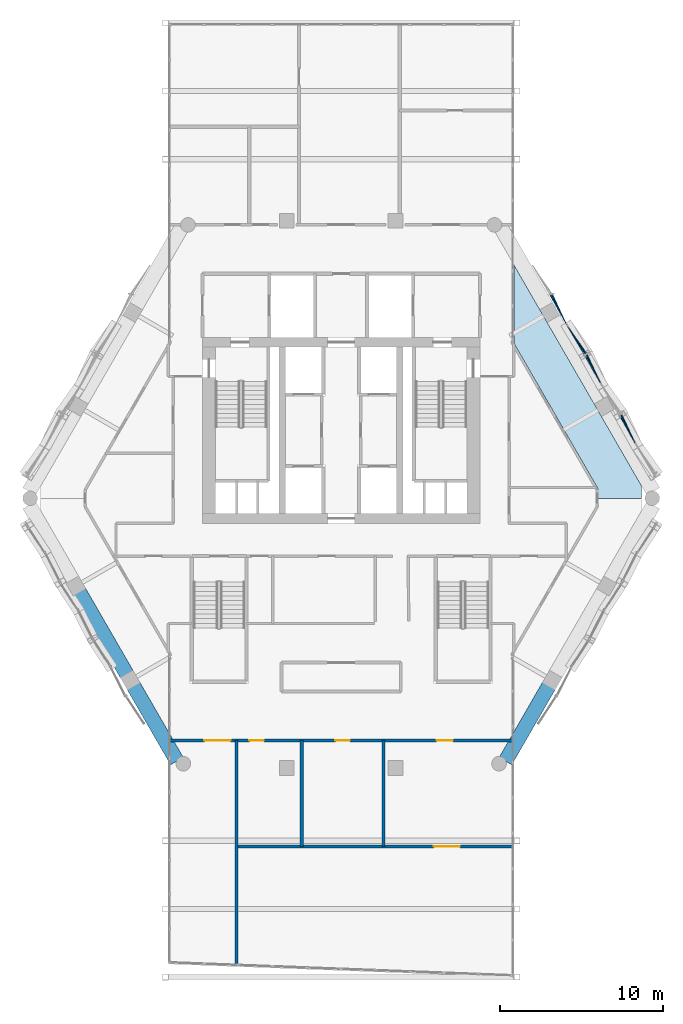
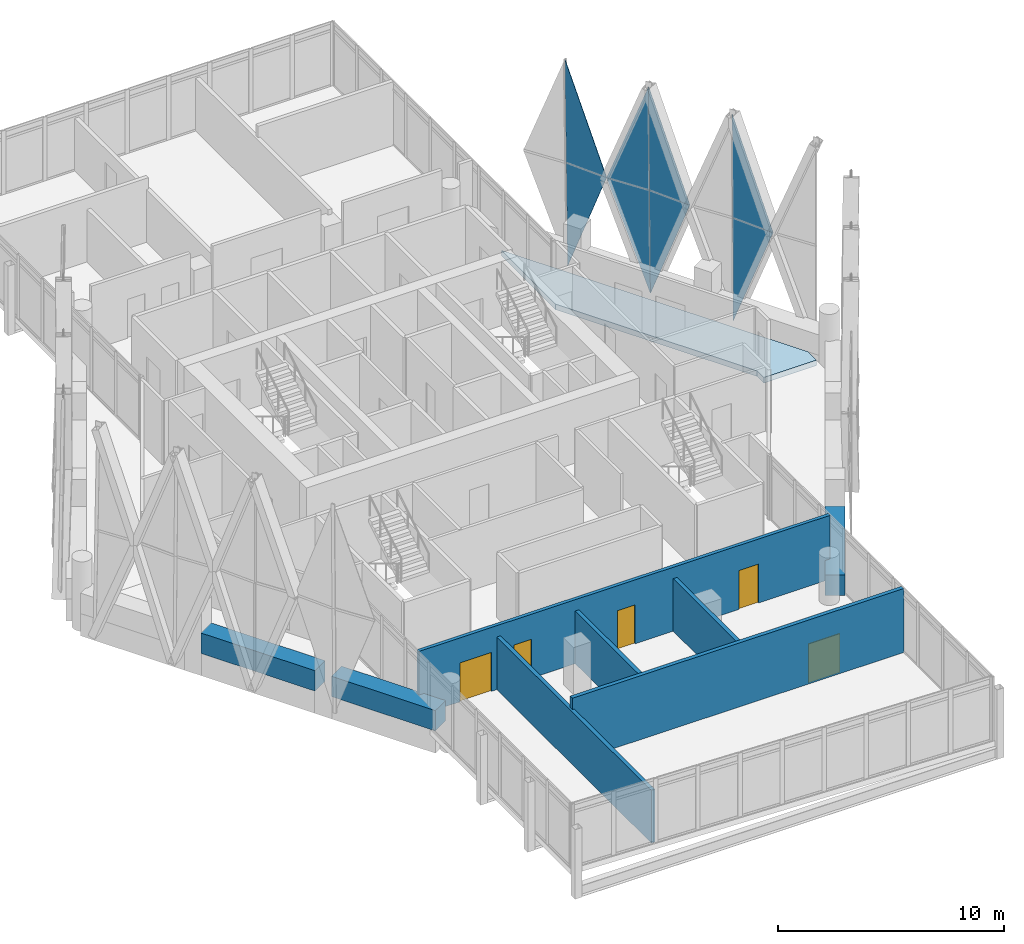
# One storey, part 28 of 37: 8 plates, 8 walls, 5 doors, 1 slab, 5 openings, 4 elements without a shape of their own.
"""IFC4 building model written with IfcOpenShell, lengths in metres."""

from ifc_helpers import new_model, si_unit, direction, frame, frame_2d, origin, place, context, subcontext, project, spatial, polyline, rectangle, outline, extrude, material, layer, layer_set, type_object, element, fill, aggregate, save


model = new_model("IFC4")

# Units and contexts
model_context = context("Model", 3, precision=1e-05, world=origin(), true_north=direction((0.0, 1.0)))
body_context = subcontext(model_context, "Body", "Model", "MODEL_VIEW")
ifc_project = project(units=[si_unit("LENGTHUNIT", "METRE"), si_unit("AREAUNIT", "SQUARE_METRE"), si_unit("VOLUMEUNIT", "CUBIC_METRE"), si_unit("PLANEANGLEUNIT", "RADIAN"), si_unit("MASSUNIT", "GRAM", prefix="KILO")], contexts=[model_context])

# Site, building, storey
site_placement = place(None, origin())
site = spatial("IfcSite", under=ifc_project, at=site_placement, CompositionType="ELEMENT")
building_placement = place(site_placement, origin())
building = spatial("IfcBuilding", under=site, at=building_placement, Name="Ostrander Bayou Hotel Tower", CompositionType="ELEMENT")
storey_placement = place(building_placement, frame((0.0, 0.0, 225.75)))
storey = spatial("IfcBuildingStorey", under=building, at=storey_placement, Name="L56", CompositionType="ELEMENT", Elevation=225.75)

# Curtain wall, plate
ifc_material_1 = material(Name="Aluminium and clear glass", Category="aluminium")
curtain_wall_type = type_object("IfcCurtainWallType", Name="CW-LAT lattice glazing", PredefinedType="NOTDEFINED", material=ifc_material_1)
curtain_wall_1_placement = place(storey_placement, origin())
curtain_wall_1 = element("IfcCurtainWall", 1, at=curtain_wall_1_placement, inside=storey, type_object=curtain_wall_type, Name="CW-LAT L56 NE 1", PredefinedType="NOTDEFINED")
ifc_material_2 = material(Name="Clear laminated glass", Category="glass")
ifc_layer_1 = layer(ifc_material_2, 0.028076171875)
ifc_layer_set_1 = layer_set([ifc_layer_1], Name="CW-LA glazing panel 28 mm")
plate_type = type_object("IfcPlateType", Name="CW-LA glazing panel 28 mm", PredefinedType="CURTAIN_PANEL", material=ifc_layer_set_1)
plate_1_placement = place(storey_placement, frame((18.093017578125, 3.08984375, 5.02490234375), z_axis=(0.890748488507, 0.454271396961, 0.01430482877), x_axis=(-0.1505637604, 0.324634110581, -0.933779014704)))
plate_1 = element("IfcPlate", 2, at=plate_1_placement, type_object=plate_type, Name="CW-LAT panel 3", PredefinedType="CURTAIN_PANEL", context=body_context, shape_type="SweptSolid", body=[
    extrude(outline(polyline([(0.0, 0.0), (6.023909202739014, 0.0), (0.7604045077880773, 1.9857968589137134), (0.0, 0.0)])), origin(), (0.0, 0.0, -1.0), 0.028076171875),
])

curtain_wall_2_placement = place(storey_placement, origin())
curtain_wall_2 = element("IfcCurtainWall", 3, at=curtain_wall_2_placement, inside=storey, type_object=curtain_wall_type, Name="CW-LAT L56 NE 2", PredefinedType="NOTDEFINED")
plate_2_placement = place(storey_placement, frame((18.093017578125, 3.08984375, 5.02490234375), z_axis=(0.89074898046, 0.454271647851, 0.01426617569), x_axis=(-0.17069626733, 0.305285272777, 0.9368370651)))
plate_2 = element("IfcPlate", 4, at=plate_2_placement, type_object=plate_type, Name="CW-LAT panel 4", PredefinedType="CURTAIN_PANEL", context=body_context, shape_type="SweptSolid", body=[
    extrude(outline(polyline([(0.0, 0.0), (6.004245785684517, -2.220446049250313e-16), (0.7432015530515225, -1.9922990819346889), (0.0, 0.0)])), origin(), (0.0, 0.0, -1.0), 0.028076171875),
])

# Plate
plate_3_placement = place(storey_placement, frame((15.969482421875, 6.767822265625, 5.02490234375), z_axis=(0.890769620863, 0.4542236327, 0.014504276767), x_axis=(-0.148823515483, 0.321713664367, -0.935067847484)))
plate_3 = element("IfcPlate", 5, at=plate_3_placement, type_object=plate_type, Name="CW-LAT panel 7", PredefinedType="CURTAIN_PANEL", context=body_context, shape_type="SweptSolid", body=[
    extrude(outline(polyline([(0.0, 0.0), (6.015606263366849, -4.440892098500626e-16), (0.7532696987918127, 1.9887468279548202), (0.0, 0.0)])), origin(), (0.0, 0.0, -1.0), 0.028076171875),
])

plate_4_placement = place(storey_placement, frame((15.969482421875, 6.767822265625, 5.02490234375), z_axis=(0.890769365978, 0.454223502729, 0.014523987178), x_axis=(-0.172449025991, 0.308272428849, 0.935536981122)))
plate_4 = element("IfcPlate", 6, at=plate_4_placement, type_object=plate_type, Name="CW-LAT panel 8", PredefinedType="CURTAIN_PANEL", context=body_context, shape_type="SweptSolid", body=[
    extrude(outline(polyline([(0.0, 0.0), (6.012589682189752, 4.440892098500626e-16), (0.7506286239530817, -1.9897451730612568), (0.0, 0.0)])), origin(), (0.0, 0.0, -1.0), 0.028076171875),
])

# Curtain wall, plate
curtain_wall_3_placement = place(storey_placement, origin())
curtain_wall_3 = element("IfcCurtainWall", 7, at=curtain_wall_3_placement, inside=storey, type_object=curtain_wall_type, Name="CW-LAT L56 NE 3", PredefinedType="NOTDEFINED")
plate_5_placement = place(storey_placement, frame((13.845947265625, 10.446044921875, 5.02490234375), z_axis=(0.838769626092, 0.544293292814, 0.014502611609), x_axis=(0.20418216524, -0.289734938908, -0.935073958879)))
plate_5 = element("IfcPlate", 8, at=plate_5_placement, type_object=plate_type, Name="CW-LAT panel 9", PredefinedType="CURTAIN_PANEL", context=body_context, shape_type="SweptSolid", body=[
    extrude(outline(polyline([(0.0, 0.0), (6.015566946963314, 2.220446049250313e-16), (0.7531325949859649, -1.9884880577193549), (0.0, 0.0)])), origin(), (0.0, 0.0, -1.0), 0.028076171875),
])
aggregate(curtain_wall_3, [plate_5])

curtain_wall_4_placement = place(storey_placement, origin())
curtain_wall_4 = element("IfcCurtainWall", 9, at=curtain_wall_4_placement, inside=storey, type_object=curtain_wall_type, Name="CW-LAT L56 NE 4", PredefinedType="NOTDEFINED")
plate_6_placement = place(storey_placement, frame((13.845947265625, 10.446044921875, 5.02490234375), z_axis=(0.838769338489, 0.544293106184, 0.014526230469), x_axis=(0.180732932323, -0.303481899839, 0.935539600254)))
plate_6 = element("IfcPlate", 10, at=plate_6_placement, type_object=plate_type, Name="CW-LAT panel 10", PredefinedType="CURTAIN_PANEL", context=body_context, shape_type="SweptSolid", body=[
    extrude(outline(polyline([(0.0, 0.0), (6.012572849371641, 0.0), (0.7505111309501409, 1.9894789528021466), (0.0, 0.0)])), origin(), (0.0, 0.0, -1.0), 0.028076171875),
])
aggregate(curtain_wall_4, [plate_6])

# Plate
plate_7_placement = place(storey_placement, frame((13.845947265625, 10.446044921875, 5.02490234375), z_axis=(0.890742566746, 0.454268376932, 0.014762164661), x_axis=(-0.14703865134, 0.318746308031, -0.93636554087)))
plate_7 = element("IfcPlate", 11, at=plate_7_placement, type_object=plate_type, Name="CW-LAT panel 11", PredefinedType="CURTAIN_PANEL", context=body_context, shape_type="SweptSolid", body=[
    extrude(outline(polyline([(0.0, 0.0), (6.007269334980341, 2.220446049250313e-16), (0.7458458367594321, 1.9913106658993773), (0.0, 0.0)])), origin(), (0.0, 0.0, -1.0), 0.028076171875),
])

aggregate(curtain_wall_1, [plate_1, plate_3, plate_7])

plate_8_placement = place(storey_placement, frame((13.845947265625, 10.446044921875, 5.02490234375), z_axis=(0.890742566746, 0.454268376932, 0.014762164661), x_axis=(-0.174196750952, 0.311210443099, 0.934239558177)))
plate_8 = element("IfcPlate", 12, at=plate_8_placement, type_object=plate_type, Name="CW-LAT panel 12", PredefinedType="CURTAIN_PANEL", context=body_context, shape_type="SweptSolid", body=[
    extrude(outline(polyline([(0.0, 0.0), (6.020939651681322, 0.0), (0.7578072196106783, -1.9867894700349942), (0.0, 0.0)])), origin(), (0.0, 0.0, -1.0), 0.028076171875),
])

aggregate(curtain_wall_2, [plate_2, plate_4, plate_8])

# Slab
ifc_material_3 = material(Name="Concrete f'c 40 MPa", Category="concrete")
ifc_layer_2 = layer(ifc_material_3, 0.300048828125)
ifc_layer_set_2 = layer_set([ifc_layer_2], Name="SL4 loggia slab 300 mm f'c 40 MPa")
slab_type = type_object("IfcSlabType", Name="SL4 loggia slab 300 mm f'c 40 MPa", PredefinedType="FLOOR", material=ifc_layer_set_2)
slab_placement = place(storey_placement, frame((0.0, 0.0, -0.300048828125)))
element("IfcSlab", 13, at=slab_placement, inside=storey, type_object=slab_type, Name="SL4 LOGGIA L56 NE 1", PredefinedType="FLOOR", context=body_context, shape_type="SweptSolid", body=[
    extrude(outline(polyline([(10.587158203125, 14.135009765625), (12.186279296875, 11.365234375), (12.6064453125, 10.6376953125), (15.515869140625, 5.5986328125), (15.935791015625, 4.87109375), (18.40966796875, 0.586181640625), (18.40966796875, -0.163818359375), (15.724853515625, -0.163818359375), (15.724853515625, 0.436279296875), (10.587158203125, 9.335205078125), (10.587158203125, 14.135009765625)])), origin(), (0.0, 0.0, 1.0), 0.300048828125),
])

# Walls
ifc_material_4 = material(Name="Limestone masonry", Category="masonry")
ifc_layer_3 = layer(ifc_material_4, 0.89990234375)
ifc_layer_set_3 = layer_set([ifc_layer_3], Name="PA2 limestone parapet 900 mm")
wall_type_1 = type_object("IfcWallType", Name="PA2 limestone parapet 900 mm", PredefinedType="PARAPET", material=ifc_layer_set_3)
wall_1_placement = place(storey_placement, frame((-16.047119140625, -5.905517578125, 0.0), z_axis=(0.0, 0.0, 1.0), x_axis=(0.500015433515, -0.866016493057, 0.0)))
element("IfcWall", 14, at=wall_1_placement, inside=storey, type_object=wall_type_1, Name="PA2 L56 SW-2", PredefinedType="PARAPET", context=body_context, shape_type="SweptSolid", body=[
    extrude(rectangle(XDim=5.818603515625, YDim=0.89990234375, at=frame_2d((2.9091796875, 0.0))), origin(), (0.0, 0.0, 1.0), 1.10009765625),
])
for number, where, z_axis, x_axis, name in (
    (15, (-12.7177734375, -11.672119140625, 0.0), (0.0, 0.0, 1.0), (0.500001430823, -0.866024577697, 0.0), "PA2 L56 SW-3"),
    (16, (10.06640625, -16.264404296875, 0.0), (0.0, 0.0, 1.0), (0.500001430823, 0.866024577697, 0.0), "PA2 L56 SE-1"),
):
    element("IfcWall", number, at=place(storey_placement, frame(where, z_axis=z_axis, x_axis=x_axis)), inside=storey, type_object=wall_type_1, Name=name, PredefinedType="PARAPET", context=body_context, shape_type="SweptSolid", body=[
        extrude(rectangle(XDim=5.302734375, YDim=0.89990234375, at=frame_2d((2.6513671875, 0.0))), origin(), (0.0, 0.0, 1.0), 1.10009765625),
    ])

# Wall, opening, door
ifc_material_5 = material(Name="Gypsum board partition", Category="finish")
ifc_layer_4 = layer(ifc_material_5, 0.199951171875)
ifc_layer_set_4 = layer_set([ifc_layer_4], Name="PT3 demising wall 200 mm acoustic double stud, 1 hour")
wall_type_2 = type_object("IfcWallType", Name="PT3 demising wall 200 mm acoustic double stud, 1 hour", PredefinedType="PARTITIONING", material=ifc_layer_set_4)
wall_2_placement = place(storey_placement, frame((-6.412841796875, -21.5, 0.0), z_axis=(0.0, 0.0, 1.0), x_axis=(1.0, 0.0, 0.0)))
wall_2 = element("IfcWall", 17, at=wall_2_placement, inside=storey, type_object=wall_type_2, Name="sw:L56:510", PredefinedType="PARTITIONING", context=body_context, shape_type="SweptSolid", body=[
    extrude(rectangle(XDim=16.906005859375, YDim=0.199951171875, at=frame_2d((8.453125, 0.0))), origin(), (0.0, 0.0, 1.0), 3.449951171875),
])
opening_1_placement = place(wall_2_placement, frame((12.0849609375, 0.0, 0.0)))
opening_1 = element("IfcOpeningElement", 18, at=opening_1_placement, cuts=wall_2, Name="Opening T55-1205", PredefinedType="OPENING", context=body_context, shape_type="SweptSolid", body=[
    extrude(rectangle(XDim=1.60009765625, YDim=2.10009765625, at=frame_2d((0.800048828125, 1.050048828125))), frame((0.0, 0.10009765625, 0.0), z_axis=(0.0, -1.0, 0.0), x_axis=(1.0, 0.0, 0.0)), (0.0, 0.0, 1.0), 0.199951171875),
])
ifc_material_6 = material(Name="Timber door leaf", Category="wood")
door_type_1 = type_object("IfcDoorType", Name="D13 double door 1600 x 2100 mm, 1 hour", OperationType="SINGLE_SWING_LEFT", PredefinedType="DOOR", material=ifc_material_6)
door_1_placement = place(opening_1_placement, origin())
door_1 = element("IfcDoor", 19, at=door_1_placement, inside=storey, type_object=door_type_1, Name="dr:L56:1205", OperationType="DOUBLE_DOOR_SINGLE_SWING", OverallHeight=2.10009765625, OverallWidth=1.60009765625, PredefinedType="DOOR", context=body_context, shape_type="SweptSolid", body=[
    extrude(rectangle(XDim=1.60009765625, YDim=2.10009765625, at=frame_2d((0.800048828125, 1.050048828125))), frame((0.0, 0.02490234375, 0.0), z_axis=(0.0, -1.0, 0.0), x_axis=(1.0, 0.0, 0.0)), (0.0, 0.0, 1.0), 0.050048828125),
])
fill(opening_1, door_1)

# Walls
wall_3_placement = place(storey_placement, frame((-6.4130859375, -28.73876953125, 0.0), z_axis=(0.0, 0.0, 1.0), x_axis=(0.0, 1.0, 0.0)))
element("IfcWall", 20, at=wall_3_placement, inside=storey, type_object=wall_type_2, Name="sw:L56:513", PredefinedType="PARTITIONING", context=body_context, shape_type="SweptSolid", body=[
    extrude(rectangle(XDim=13.73876953125, YDim=0.199951171875, at=frame_2d((6.869384765625, 0.0))), origin(), (0.0, 0.0, 1.0), 2.8388671875),
])
for number, where, z_axis, x_axis, name in (
    (21, (-2.4130859375, -21.5, 0.0), (0.0, 0.0, 1.0), (0.0, 1.0, 0.0), "sw:L56:516"),
    (22, (2.5869140625, -21.5, 0.0), (0.0, 0.0, 1.0), (0.0, 1.0, 0.0), "sw:L56:517"),
):
    element("IfcWall", number, at=place(storey_placement, frame(where, z_axis=z_axis, x_axis=x_axis)), inside=storey, type_object=wall_type_2, Name=name, PredefinedType="PARTITIONING", context=body_context, shape_type="SweptSolid", body=[
        extrude(rectangle(XDim=6.5, YDim=0.199951171875, at=frame_2d((3.25, 0.0))), origin(), (0.0, 0.0, 1.0), 2.8388671875),
    ])

# Wall, openings, doors
ifc_material_7 = material(Name="Gypsum board partition", Category="finish")
ifc_layer_5 = layer(ifc_material_7, 0.175048828125)
ifc_layer_set_5 = layer_set([ifc_layer_5], Name="PT4 corridor wall 175 mm, 1 hour")
wall_type_3 = type_object("IfcWallType", Name="PT4 corridor wall 175 mm, 1 hour", PredefinedType="PARTITIONING", material=ifc_layer_set_5)
wall_4_placement = place(storey_placement, frame((-10.4931640625, -15.0, 0.0), z_axis=(0.0, 0.0, 1.0), x_axis=(1.0, 0.0, 0.0)))
wall_4 = element("IfcWall", 23, at=wall_4_placement, inside=storey, type_object=wall_type_3, Name="sw:L56:500", PredefinedType="PARTITIONING", context=body_context, shape_type="SweptSolid", body=[
    extrude(rectangle(XDim=20.986328125, YDim=0.175048828125, at=frame_2d((10.4931640625, 0.0))), origin(), (0.0, 0.0, 1.0), 3.449951171875),
])
opening_2_placement = place(wall_4_placement, frame((4.85986328125, 0.0, 0.0)))
opening_2 = element("IfcOpeningElement", 24, at=opening_2_placement, cuts=wall_4, Name="Opening T55-1201", PredefinedType="OPENING", context=body_context, shape_type="SweptSolid", body=[
    extrude(rectangle(XDim=0.89990234375, YDim=2.10009765625, at=frame_2d((0.449951171875, 1.050048828125))), frame((0.0, 0.08740234375, 0.0), z_axis=(0.0, -1.0, 0.0), x_axis=(1.0, 0.0, 0.0)), (0.0, 0.0, 1.0), 0.175048828125),
])
opening_3_placement = place(wall_4_placement, frame((10.13037109375, 0.0, 0.0)))
opening_3 = element("IfcOpeningElement", 25, at=opening_3_placement, cuts=wall_4, Name="Opening T55-1202", PredefinedType="OPENING", context=body_context, shape_type="SweptSolid", body=[
    extrude(rectangle(XDim=0.89990234375, YDim=2.10009765625, at=frame_2d((0.449951171875, 1.050048828125))), frame((0.0, 0.08740234375, 0.0), z_axis=(0.0, -1.0, 0.0), x_axis=(1.0, 0.0, 0.0)), (0.0, 0.0, 1.0), 0.175048828125),
])
opening_4_placement = place(wall_4_placement, frame((16.343505859375, 0.0, 0.0)))
opening_4 = element("IfcOpeningElement", 26, at=opening_4_placement, cuts=wall_4, Name="Opening T55-1203", PredefinedType="OPENING", context=body_context, shape_type="SweptSolid", body=[
    extrude(rectangle(XDim=1.0, YDim=2.10009765625, at=frame_2d((0.5, 1.050048828125))), frame((0.0, 0.08740234375, 0.0), z_axis=(0.0, -1.0, 0.0), x_axis=(1.0, 0.0, 0.0)), (0.0, 0.0, 1.0), 0.175048828125),
])
opening_5_placement = place(wall_4_placement, frame((2.11328125, 0.0, 0.0)))
opening_5 = element("IfcOpeningElement", 27, at=opening_5_placement, cuts=wall_4, Name="Opening T55-1204", PredefinedType="OPENING", context=body_context, shape_type="SweptSolid", body=[
    extrude(rectangle(XDim=1.60009765625, YDim=2.10009765625, at=frame_2d((0.800048828125, 1.050048828125))), frame((0.0, 0.08740234375, 0.0), z_axis=(0.0, -1.0, 0.0), x_axis=(1.0, 0.0, 0.0)), (0.0, 0.0, 1.0), 0.175048828125),
])
door_2_placement = place(opening_5_placement, origin())
door_2 = element("IfcDoor", 28, at=door_2_placement, inside=storey, type_object=door_type_1, Name="dr:L56:1204", OperationType="DOUBLE_DOOR_SINGLE_SWING", OverallHeight=2.10009765625, OverallWidth=1.60009765625, PredefinedType="DOOR", context=body_context, shape_type="SweptSolid", body=[
    extrude(rectangle(XDim=1.60009765625, YDim=2.10009765625, at=frame_2d((0.800048828125, 1.050048828125))), frame((0.0, 0.02490234375, 0.0), z_axis=(0.0, -1.0, 0.0), x_axis=(1.0, 0.0, 0.0)), (0.0, 0.0, 1.0), 0.050048828125),
])
fill(opening_5, door_2)
ifc_material_8 = material(Name="Timber door leaf", Category="wood")
door_type_2 = type_object("IfcDoorType", Name="D8 room door 900 x 2100 mm", OperationType="SINGLE_SWING_LEFT", PredefinedType="DOOR", material=ifc_material_8)
door_3_placement = place(opening_2_placement, origin())
door_3 = element("IfcDoor", 29, at=door_3_placement, inside=storey, type_object=door_type_2, Name="dr:L56:1201", OperationType="SINGLE_SWING_LEFT", OverallHeight=2.10009765625, OverallWidth=0.89990234375, PredefinedType="DOOR", context=body_context, shape_type="SweptSolid", body=[
    extrude(rectangle(XDim=0.89990234375, YDim=2.10009765625, at=frame_2d((0.449951171875, 1.050048828125))), frame((0.0, 0.02490234375, 0.0), z_axis=(0.0, -1.0, 0.0), x_axis=(1.0, 0.0, 0.0)), (0.0, 0.0, 1.0), 0.050048828125),
])
fill(opening_2, door_3)
door_4_placement = place(opening_3_placement, origin())
door_4 = element("IfcDoor", 30, at=door_4_placement, inside=storey, type_object=door_type_2, Name="dr:L56:1202", OperationType="SINGLE_SWING_RIGHT", OverallHeight=2.10009765625, OverallWidth=0.89990234375, PredefinedType="DOOR", context=body_context, shape_type="SweptSolid", body=[
    extrude(rectangle(XDim=0.89990234375, YDim=2.10009765625, at=frame_2d((0.449951171875, 1.050048828125))), frame((0.0, 0.02490234375, 0.0), z_axis=(0.0, -1.0, 0.0), x_axis=(1.0, 0.0, 0.0)), (0.0, 0.0, 1.0), 0.050048828125),
])
fill(opening_3, door_4)
ifc_material_9 = material(Name="Timber door leaf", Category="wood")
door_type_3 = type_object("IfcDoorType", Name="D9 service door 1000 x 2100 mm, 30 minute", OperationType="SINGLE_SWING_LEFT", PredefinedType="DOOR", material=ifc_material_9)
door_5_placement = place(opening_4_placement, origin())
door_5 = element("IfcDoor", 31, at=door_5_placement, inside=storey, type_object=door_type_3, Name="dr:L56:1203", OperationType="SINGLE_SWING_LEFT", OverallHeight=2.10009765625, OverallWidth=1.0, PredefinedType="DOOR", context=body_context, shape_type="SweptSolid", body=[
    extrude(rectangle(XDim=1.0, YDim=2.10009765625, at=frame_2d((0.5, 1.050048828125))), frame((0.0, 0.02490234375, 0.0), z_axis=(0.0, -1.0, 0.0), x_axis=(1.0, 0.0, 0.0)), (0.0, 0.0, 1.0), 0.050048828125),
])
fill(opening_4, door_5)

save(model, "model.ifc")
